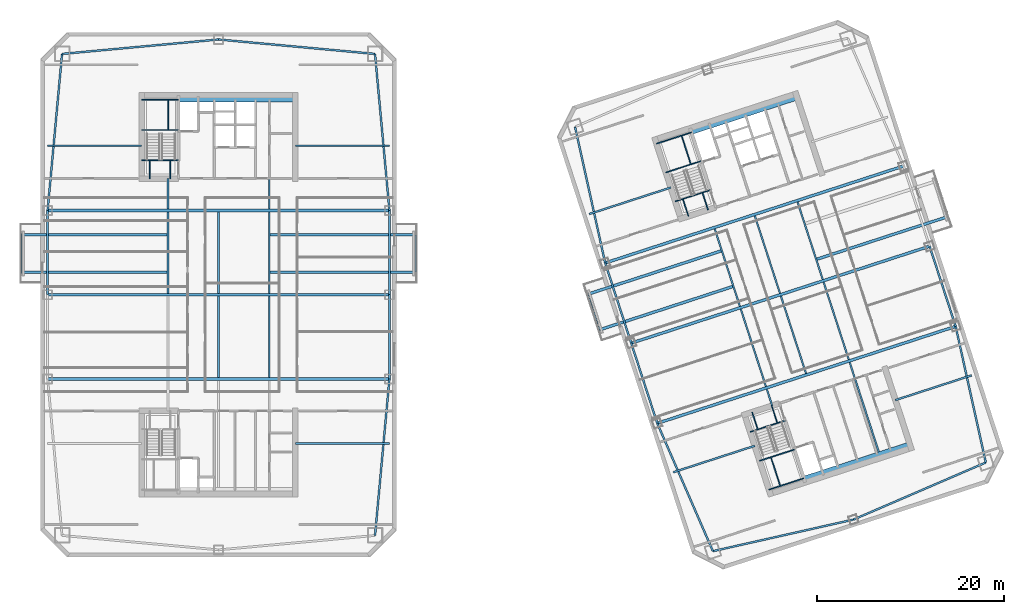
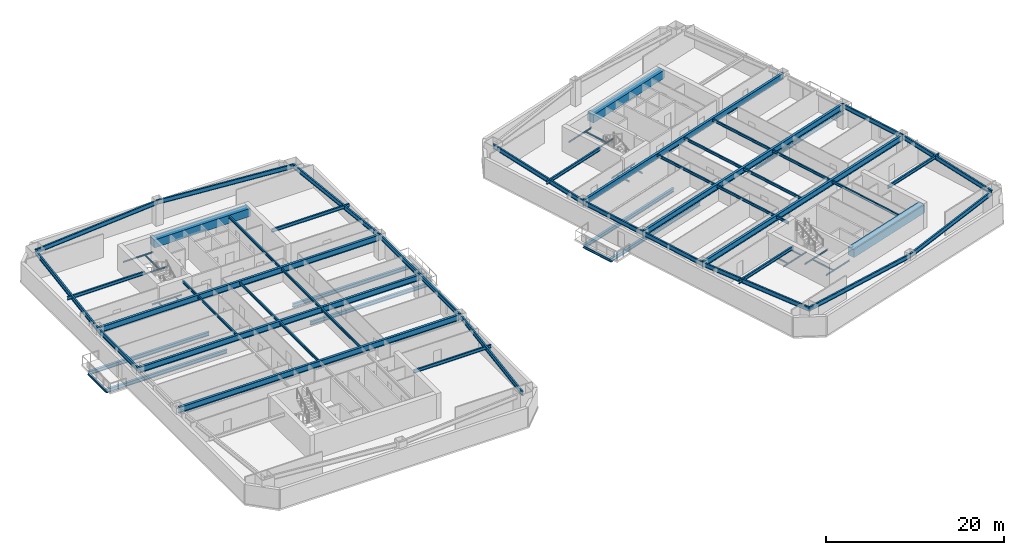
# One storey, part 2 of 15: 74 beams.
"""IFC4 building model written with IfcOpenShell, lengths in metres."""

from ifc_helpers import new_model, si_unit, direction, frame, origin, origin_2d, place, context, subcontext, project, spatial, rectangle, i_section, extrude, material, material_profile, profile_set, type_object, element, save


model = new_model("IFC4")

# Units and contexts
model_context = context("Model", 3, precision=1e-05, world=origin(), true_north=direction((0.0, 1.0)))
body_context = subcontext(model_context, "Body", "Model", "MODEL_VIEW")
ifc_project = project(units=[si_unit("LENGTHUNIT", "METRE"), si_unit("AREAUNIT", "SQUARE_METRE"), si_unit("VOLUMEUNIT", "CUBIC_METRE"), si_unit("PLANEANGLEUNIT", "RADIAN"), si_unit("MASSUNIT", "GRAM", prefix="KILO")], contexts=[model_context])

# Site, building, storey
site_placement = place(None, origin())
site = spatial("IfcSite", under=ifc_project, at=site_placement, CompositionType="ELEMENT")
building_placement = place(site_placement, origin())
building = spatial("IfcBuilding", under=site, at=building_placement, Name="Qiaolan Cultural Towers", CompositionType="ELEMENT")
storey_placement = place(building_placement, frame((0.0, 0.0, 113.85009765625)))
storey = spatial("IfcBuildingStorey", under=building, at=storey_placement, Name="L29", CompositionType="ELEMENT", Elevation=113.85009765625)

# Beams
ifc_material_1 = material(Name="Steel Q355B", Category="steel")
ifc_material_profile_1 = material_profile(ifc_material_1, i_section(OverallWidth=0.300048828125, OverallDepth=0.488037109375, WebThickness=0.010986328125, FlangeThickness=0.01806640625, at=origin_2d()), Name="HM488x300x11x18")
ifc_profile_set_1 = profile_set([ifc_material_profile_1], Name="Steel Q355B")
beam_type_1 = type_object("IfcBeamType", Name="BM-HM488x300x11x18", PredefinedType="BEAM", material=ifc_profile_set_1)
for number, where, z_axis, x_axis, name in (
    (1, (24.60009765625, 36.39990234375, -0.524169921875), (-1.0, 0.0, 0.0), (0.0, -1.0, 0.0), "L29 T1 Tree Balcony Back-Spanned Bracket Beam"),
    (2, (24.60009765625, 40.39990234375, -0.524169921875), (-1.0, 0.0, 0.0), (0.0, -1.0, 0.0), "L29 T1 Tree Balcony Back-Spanned Bracket Beam"),
    (3, (35.39990234375, 36.39990234375, -0.524169921875), (1.0, 0.0, 0.0), (0.0, 1.0, 0.0), "L29 T1 Tree Balcony Back-Spanned Bracket Beam"),
    (4, (35.39990234375, 40.39990234375, -0.524169921875), (1.0, 0.0, 0.0), (0.0, 1.0, 0.0), "L29 T1 Tree Balcony Back-Spanned Bracket Beam"),
):
    element("IfcBeam", number, at=place(storey_placement, frame(where, z_axis=z_axis, x_axis=x_axis)), inside=storey, type_object=beam_type_1, Name=name, PredefinedType="BEAM", context=body_context, shape_type="SweptSolid", body=[
        extrude(i_section(OverallWidth=0.300048828125, OverallDepth=0.488037109375, WebThickness=0.010986328125, FlangeThickness=0.01806640625, at=origin_2d()), origin(), (0.0, 0.0, 1.0), 15.650146484375),
    ])
for number, where, z_axis, x_axis, name in (
    (5, (84.978515625, 34.891845703125, -0.524169921875), (-0.95105683587, -0.309016010822, 0.0), (0.309016010822, -0.95105683587, 0.0), "L29 T2 Tree Balcony Back-Spanned Bracket Beam"),
    (6, (83.742431640625, 38.6962890625, -0.524169921875), (-0.95105206822, -0.309030683808, 0.0), (0.309030683808, -0.95105206822, 0.0), "L29 T2 Tree Balcony Back-Spanned Bracket Beam"),
):
    element("IfcBeam", number, at=place(storey_placement, frame(where, z_axis=z_axis, x_axis=x_axis)), inside=storey, type_object=beam_type_1, Name=name, PredefinedType="BEAM", context=body_context, shape_type="SweptSolid", body=[
        extrude(i_section(OverallWidth=0.300048828125, OverallDepth=0.488037109375, WebThickness=0.010986328125, FlangeThickness=0.01806640625, at=origin_2d()), origin(), (0.0, 0.0, 1.0), 15.0498046875),
    ])
beam_1_placement = place(storey_placement, frame((93.823486328125, 37.765869140625, -0.524169921875), z_axis=(0.951059244395, 0.30900859802, 0.0), x_axis=(-0.30900859802, 0.951059244395, 0.0)))
element("IfcBeam", 7, at=beam_1_placement, inside=storey, type_object=beam_type_1, Name="L29 T2 Tree Balcony Back-Spanned Bracket Beam", PredefinedType="BEAM", context=body_context, shape_type="SweptSolid", body=[
    extrude(i_section(OverallWidth=0.300048828125, OverallDepth=0.488037109375, WebThickness=0.010986328125, FlangeThickness=0.01806640625, at=origin_2d()), origin(), (0.0, 0.0, 1.0), 14.75),
])
ifc_material_2 = material(Name="Steel Q355B", Category="steel")
ifc_material_profile_2 = material_profile(ifc_material_2, i_section(OverallWidth=0.300048828125, OverallDepth=0.800048828125, WebThickness=0.013916015625, FlangeThickness=0.02587890625, at=origin_2d()), Name="HN800x300x14x26")
ifc_profile_set_2 = profile_set([ifc_material_profile_2], Name="Steel Q355B")
beam_type_2 = type_object("IfcBeamType", Name="BM-HN800x300x14x26", PredefinedType="BEAM", material=ifc_profile_set_2)
for number, where, z_axis, x_axis, name in (
    (8, (11.75, 25.0, 2.789794921875), (1.0, 0.0, 0.0), (0.0, 1.0, 0.0), "L29 T1 Primary Transverse Girder V1"),
    (9, (11.75, 34.0, 2.789794921875), (1.0, 0.0, 0.0), (0.0, 1.0, 0.0), "L29 T1 Primary Transverse Girder V2"),
    (10, (11.75, 43.0, 2.789794921875), (1.0, 0.0, 0.0), (0.0, 1.0, 0.0), "L29 T1 Primary Transverse Girder V3"),
):
    element("IfcBeam", number, at=place(storey_placement, frame(where, z_axis=z_axis, x_axis=x_axis)), inside=storey, type_object=beam_type_2, Name=name, PredefinedType="BEAM", context=body_context, shape_type="SweptSolid", body=[
        extrude(i_section(OverallWidth=0.300048828125, OverallDepth=0.800048828125, WebThickness=0.013916015625, FlangeThickness=0.02587890625, at=origin_2d()), origin(), (0.0, 0.0, 1.0), 36.5),
    ])
for number, where, z_axis, x_axis, name in (
    (11, (76.85107421875, 20.264404296875, 2.789794921875), (0.951056559899, 0.309016860175, 0.0), (-0.309016860175, 0.951056559899, 0.0), "L29 T2 Primary Transverse Girder V1"),
    (12, (74.06982421875, 28.823974609375, 2.789794921875), (0.951056559899, 0.309016860175, 0.0), (-0.309016860175, 0.951056559899, 0.0), "L29 T2 Primary Transverse Girder V2"),
    (13, (71.28857421875, 37.383544921875, 2.789794921875), (0.951056559899, 0.309016860175, 0.0), (-0.309016860175, 0.951056559899, 0.0), "L29 T2 Primary Transverse Girder V3"),
):
    element("IfcBeam", number, at=place(storey_placement, frame(where, z_axis=z_axis, x_axis=x_axis)), inside=storey, type_object=beam_type_2, Name=name, PredefinedType="BEAM", context=body_context, shape_type="SweptSolid", body=[
        extrude(i_section(OverallWidth=0.300048828125, OverallDepth=0.800048828125, WebThickness=0.013916015625, FlangeThickness=0.02587890625, at=origin_2d()), origin(), (0.0, 0.0, 1.0), 33.5),
    ])
ifc_material_3 = material(Name="Steel Q355B", Category="steel")
ifc_material_profile_3 = material_profile(ifc_material_3, i_section(OverallWidth=0.175048828125, OverallDepth=0.35009765625, WebThickness=0.007080078125, FlangeThickness=0.010986328125, at=origin_2d()), Name="HN350x175x7x11")
ifc_profile_set_3 = profile_set([ifc_material_profile_3], Name="Steel Q355B")
beam_type_3 = type_object("IfcBeamType", Name="BM-JST-HN350x175x7x11", PredefinedType="JOIST", material=ifc_profile_set_3)
for number, where, z_axis, x_axis, name in (
    (14, (8.949951171875, 36.39990234375, -0.524169921875), (0.0, 1.0, 0.0), (-1.0, 0.0, 0.0), "L29 T1 Tree Balcony Outer Edge Beam"),
    (15, (51.050048828125, 36.39990234375, -0.524169921875), (0.0, 1.0, 0.0), (-1.0, 0.0, 0.0), "L29 T1 Tree Balcony Outer Edge Beam"),
    (16, (70.665283203125, 30.2412109375, -0.524169921875), (-0.309022586479, 0.951054699292, 0.0), (-0.951054699292, -0.309022586479, 0.0), "L29 T2 Tree Balcony Outer Edge Beam"),
):
    element("IfcBeam", number, at=place(storey_placement, frame(where, z_axis=z_axis, x_axis=x_axis)), inside=storey, type_object=beam_type_3, Name=name, PredefinedType="JOIST", context=body_context, shape_type="SweptSolid", body=[
        extrude(i_section(OverallWidth=0.175048828125, OverallDepth=0.35009765625, WebThickness=0.007080078125, FlangeThickness=0.010986328125, at=origin_2d()), origin(), (0.0, 0.0, 1.0), 4.0),
    ])
beam_2_placement = place(storey_placement, frame((24.60009765625, 34.14990234375, 3.014892578125), z_axis=(0.0, 1.0, 0.0), x_axis=(-1.0, 0.0, 0.0)))
element("IfcBeam", 17, at=beam_2_placement, inside=storey, type_object=beam_type_3, Name="L29 T1 Secondary Floor Joist U1-3", PredefinedType="JOIST", context=body_context, shape_type="SweptSolid", body=[
    extrude(i_section(OverallWidth=0.175048828125, OverallDepth=0.35009765625, WebThickness=0.007080078125, FlangeThickness=0.010986328125, at=origin_2d()), origin(), (0.0, 0.0, 1.0), 8.7001953125),
])
beam_3_placement = place(storey_placement, frame((24.60009765625, 43.14990234375, 3.014892578125), z_axis=(0.0, 1.0, 0.0), x_axis=(-1.0, 0.0, 0.0)))
element("IfcBeam", 18, at=beam_3_placement, inside=storey, type_object=beam_type_3, Name="L29 T1 Secondary Floor Joist U1-4", PredefinedType="JOIST", context=body_context, shape_type="SweptSolid", body=[
    extrude(i_section(OverallWidth=0.175048828125, OverallDepth=0.35009765625, WebThickness=0.007080078125, FlangeThickness=0.010986328125, at=origin_2d()), origin(), (0.0, 0.0, 1.0), 3.25),
])
for number, where, z_axis, x_axis, name in (
    (19, (30.0, 25.14990234375, 3.014892578125), (0.0, 1.0, 0.0), (-1.0, 0.0, 0.0), "L29 T1 Secondary Floor Joist U2-2"),
    (20, (30.0, 34.14990234375, 3.014892578125), (0.0, 1.0, 0.0), (-1.0, 0.0, 0.0), "L29 T1 Secondary Floor Joist U2-3"),
    (21, (35.39990234375, 25.14990234375, 3.014892578125), (0.0, 1.0, 0.0), (-1.0, 0.0, 0.0), "L29 T1 Secondary Floor Joist U3-2"),
    (22, (35.39990234375, 34.14990234375, 3.014892578125), (0.0, 1.0, 0.0), (-1.0, 0.0, 0.0), "L29 T1 Secondary Floor Joist U3-3"),
):
    element("IfcBeam", number, at=place(storey_placement, frame(where, z_axis=z_axis, x_axis=x_axis)), inside=storey, type_object=beam_type_3, Name=name, PredefinedType="JOIST", context=body_context, shape_type="SweptSolid", body=[
        extrude(i_section(OverallWidth=0.175048828125, OverallDepth=0.35009765625, WebThickness=0.007080078125, FlangeThickness=0.010986328125, at=origin_2d()), origin(), (0.0, 0.0, 1.0), 8.7001953125),
    ])
beam_4_placement = place(storey_placement, frame((35.39990234375, 43.14990234375, 3.014892578125), z_axis=(0.0, 1.0, 0.0), x_axis=(-1.0, 0.0, 0.0)))
element("IfcBeam", 23, at=beam_4_placement, inside=storey, type_object=beam_type_3, Name="L29 T1 Secondary Floor Joist U3-4", PredefinedType="JOIST", context=body_context, shape_type="SweptSolid", body=[
    extrude(i_section(OverallWidth=0.175048828125, OverallDepth=0.35009765625, WebThickness=0.007080078125, FlangeThickness=0.010986328125, at=origin_2d()), origin(), (0.0, 0.0, 1.0), 11.4501953125),
])
beam_5_placement = place(storey_placement, frame((89.119384765625, 22.147705078125, 3.014892578125), z_axis=(-0.308933885266, 0.951083516067, 0.0), x_axis=(-0.951083516067, -0.308933885266, 0.0)))
element("IfcBeam", 24, at=beam_5_placement, inside=storey, type_object=beam_type_3, Name="L29 T2 Secondary Floor Joist U1-1", PredefinedType="JOIST", context=body_context, shape_type="SweptSolid", body=[
    extrude(i_section(OverallWidth=0.175048828125, OverallDepth=0.35009765625, WebThickness=0.007080078125, FlangeThickness=0.010986328125, at=origin_2d()), origin(), (0.0, 0.0, 1.0), 1.85009765625),
])
for number, where, z_axis, x_axis, name in (
    (25, (88.455078125, 24.192626953125, 3.014892578125), (-0.309020714809, 0.951055307445, 0.0), (-0.951055307445, -0.309020714809, 0.0), "L29 T2 Secondary Floor Joist U1-2"),
    (26, (85.673828125, 32.752197265625, 3.014892578125), (-0.309020714809, 0.951055307445, 0.0), (-0.951055307445, -0.309020714809, 0.0), "L29 T2 Secondary Floor Joist U1-3"),
    (27, (92.73486328125, 25.583251953125, 3.014892578125), (-0.309020714809, 0.951055307445, 0.0), (-0.951055307445, -0.309020714809, 0.0), "L29 T2 Secondary Floor Joist U2-2"),
    (28, (89.95361328125, 34.142578125, 3.014892578125), (-0.309020714809, 0.951055307445, 0.0), (-0.951055307445, -0.309020714809, 0.0), "L29 T2 Secondary Floor Joist U2-3"),
):
    element("IfcBeam", number, at=place(storey_placement, frame(where, z_axis=z_axis, x_axis=x_axis)), inside=storey, type_object=beam_type_3, Name=name, PredefinedType="JOIST", context=body_context, shape_type="SweptSolid", body=[
        extrude(i_section(OverallWidth=0.175048828125, OverallDepth=0.35009765625, WebThickness=0.007080078125, FlangeThickness=0.010986328125, at=origin_2d()), origin(), (0.0, 0.0, 1.0), 8.699951171875),
    ])
beam_6_placement = place(storey_placement, frame((100.498291015625, 17.222900390625, 3.014892578125), z_axis=(-0.309025649293, 0.951053704098, 0.0), x_axis=(-0.951053704098, -0.309025649293, 0.0)))
element("IfcBeam", 29, at=beam_6_placement, inside=storey, type_object=beam_type_3, Name="L29 T2 Secondary Floor Joist U3-1", PredefinedType="JOIST", context=body_context, shape_type="SweptSolid", body=[
    extrude(i_section(OverallWidth=0.175048828125, OverallDepth=0.35009765625, WebThickness=0.007080078125, FlangeThickness=0.010986328125, at=origin_2d()), origin(), (0.0, 0.0, 1.0), 10.050048828125),
])
for number, where, z_axis, x_axis, name in (
    (30, (97.2998046875, 27.06640625, 3.014892578125), (-0.309020714809, 0.951055307445, 0.0), (-0.951055307445, -0.309020714809, 0.0), "L29 T2 Secondary Floor Joist U3-2"),
    (31, (94.518798828125, 35.6259765625, 3.014892578125), (-0.309020714809, 0.951055307445, 0.0), (-0.951055307445, -0.309020714809, 0.0), "L29 T2 Secondary Floor Joist U3-3"),
):
    element("IfcBeam", number, at=place(storey_placement, frame(where, z_axis=z_axis, x_axis=x_axis)), inside=storey, type_object=beam_type_3, Name=name, PredefinedType="JOIST", context=body_context, shape_type="SweptSolid", body=[
        extrude(i_section(OverallWidth=0.175048828125, OverallDepth=0.35009765625, WebThickness=0.007080078125, FlangeThickness=0.010986328125, at=origin_2d()), origin(), (0.0, 0.0, 1.0), 8.699951171875),
    ])
ifc_material_4 = material(Name="Steel Q355B", Category="steel")
ifc_material_profile_4 = material_profile(ifc_material_4, i_section(OverallWidth=0.199951171875, OverallDepth=0.449951171875, WebThickness=0.009033203125, FlangeThickness=0.013916015625, at=origin_2d()), Name="HN450x200x9x14")
ifc_profile_set_4 = profile_set([ifc_material_profile_4], Name="Steel Q355B")
beam_type_4 = type_object("IfcBeamType", Name="BM-LNT-HN450x200x9x14", PredefinedType="LINTEL", material=ifc_profile_set_4)
for number, where, z_axis, x_axis, name in (
    (32, (21.800048828125, 49.89990234375, 2.96484375), (-1.0, 0.0, 0.0), (0.0, -1.0, 0.0), "L29 T1 Core Flank Tie Lintel WN"),
    (33, (38.199951171875, 18.10009765625, 2.96484375), (1.0, 0.0, 0.0), (0.0, 1.0, 0.0), "L29 T1 Core Flank Tie Lintel ES"),
    (34, (38.199951171875, 49.89990234375, 2.96484375), (1.0, 0.0, 0.0), (0.0, 1.0, 0.0), "L29 T1 Core Flank Tie Lintel EN"),
):
    element("IfcBeam", number, at=place(storey_placement, frame(where, z_axis=z_axis, x_axis=x_axis)), inside=storey, type_object=beam_type_4, Name=name, PredefinedType="LINTEL", context=body_context, shape_type="SweptSolid", body=[
        extrude(i_section(OverallWidth=0.199951171875, OverallDepth=0.449951171875, WebThickness=0.009033203125, FlangeThickness=0.013916015625, at=origin_2d()), origin(), (0.0, 0.0, 1.0), 10.050048828125),
    ])
for number, where, z_axis, x_axis, name in (
    (35, (87.252685546875, 17.861083984375, 2.96484375), (-0.951059948176, -0.309006431933, 0.0), (0.309006431933, -0.951059948176, 0.0), "L29 T2 Core Flank Tie Lintel WS"),
    (36, (78.291259765625, 45.44189453125, 2.96484375), (-0.951052106475, -0.309030566076, 0.0), (0.309030566076, -0.951052106475, 0.0), "L29 T2 Core Flank Tie Lintel WN"),
):
    element("IfcBeam", number, at=place(storey_placement, frame(where, z_axis=z_axis, x_axis=x_axis)), inside=storey, type_object=beam_type_4, Name=name, PredefinedType="LINTEL", context=body_context, shape_type="SweptSolid", body=[
        extrude(i_section(OverallWidth=0.199951171875, OverallDepth=0.449951171875, WebThickness=0.009033203125, FlangeThickness=0.013916015625, at=origin_2d()), origin(), (0.0, 0.0, 1.0), 9.14990234375),
    ])
beam_7_placement = place(storey_placement, frame((102.279296875, 22.74365234375, 2.96484375), z_axis=(0.951057358187, 0.309014403287, 0.0), x_axis=(-0.309014403287, 0.951057358187, 0.0)))
element("IfcBeam", 37, at=beam_7_placement, inside=storey, type_object=beam_type_4, Name="L29 T2 Core Flank Tie Lintel ES", PredefinedType="LINTEL", context=body_context, shape_type="SweptSolid", body=[
    extrude(i_section(OverallWidth=0.199951171875, OverallDepth=0.449951171875, WebThickness=0.009033203125, FlangeThickness=0.013916015625, at=origin_2d()), origin(), (0.0, 0.0, 1.0), 8.550048828125),
])
ifc_material_5 = material(Name="Concrete C50", Category="concrete")
ifc_material_profile_5 = material_profile(ifc_material_5, rectangle(XDim=0.89990234375, YDim=1.10009765625, at=origin_2d()), Name="RC900x1100")
ifc_profile_set_5 = profile_set([ifc_material_profile_5], Name="Concrete C50")
beam_type_5 = type_object("IfcBeamType", Name="BM-RC900x1100", PredefinedType="BEAM", material=ifc_profile_set_5)
beam_8_placement = place(storey_placement, frame((25.719970703125, 55.050048828125, 2.639892578125), z_axis=(1.0, 0.0, 0.0), x_axis=(0.0, 1.0, 0.0)))
element("IfcBeam", 38, at=beam_8_placement, inside=storey, type_object=beam_type_5, Name="L29 T1 Core Header Girder N", PredefinedType="BEAM", context=body_context, shape_type="SweptSolid", body=[
    extrude(rectangle(XDim=0.89990234375, YDim=1.10009765625, at=origin_2d()), origin(), (0.0, 0.0, 1.0), 12.47998046875),
])
for number, where, z_axis, x_axis, name in (
    (39, (92.572265625, 14.174560546875, 2.639892578125), (0.951056266386, 0.309017763514, 0.0), (-0.309017763514, 0.951056266386, 0.0), "L29 T2 Core Header Girder S"),
    (40, (80.427978515625, 51.551025390625, 2.639892578125), (0.951056266386, 0.309017763514, 0.0), (-0.309017763514, 0.951056266386, 0.0), "L29 T2 Core Header Girder N"),
):
    element("IfcBeam", number, at=place(storey_placement, frame(where, z_axis=z_axis, x_axis=x_axis)), inside=storey, type_object=beam_type_5, Name=name, PredefinedType="BEAM", context=body_context, shape_type="SweptSolid", body=[
        extrude(rectangle(XDim=0.89990234375, YDim=1.10009765625, at=origin_2d()), origin(), (0.0, 0.0, 1.0), 11.880126953125),
    ])
ifc_material_6 = material(Name="Steel Q355B", Category="steel")
ifc_material_profile_6 = material_profile(ifc_material_6, i_section(OverallWidth=0.199951171875, OverallDepth=0.60009765625, WebThickness=0.010986328125, FlangeThickness=0.01708984375, at=origin_2d()), Name="HN600x200x11x17")
ifc_profile_set_6 = profile_set([ifc_material_profile_6], Name="Steel Q355B")
beam_type_6 = type_object("IfcBeamType", Name="BM-SPD-HN600x200x11x17", PredefinedType="SPANDREL", material=ifc_profile_set_6)
beam_9_placement = place(storey_placement, frame((46.7099609375, 8.2900390625, 2.889892578125), z_axis=(0.09177399582, 0.995779862064, 0.0), x_axis=(-0.995779862064, 0.09177399582, 0.0)))
element("IfcBeam", 41, at=beam_9_placement, inside=storey, type_object=beam_type_6, Name="L29 T1 Perimeter Spandrel Beam 3", PredefinedType="SPANDREL", context=body_context, shape_type="SweptSolid", body=[
    extrude(i_section(OverallWidth=0.199951171875, OverallDepth=0.60009765625, WebThickness=0.010986328125, FlangeThickness=0.01708984375, at=origin_2d()), origin(), (0.0, 0.0, 1.0), 16.78076171875),
])
for number, where, z_axis, x_axis, name in (
    (42, (48.25, 25.0, 2.889892578125), (0.0, 1.0, 0.0), (-1.0, 0.0, 0.0), "L29 T1 Perimeter Spandrel Beam 4"),
    (43, (48.25, 34.0, 2.889892578125), (0.0, 1.0, 0.0), (-1.0, 0.0, 0.0), "L29 T1 Perimeter Spandrel Beam 5"),
):
    element("IfcBeam", number, at=place(storey_placement, frame(where, z_axis=z_axis, x_axis=x_axis)), inside=storey, type_object=beam_type_6, Name=name, PredefinedType="SPANDREL", context=body_context, shape_type="SweptSolid", body=[
        extrude(i_section(OverallWidth=0.199951171875, OverallDepth=0.60009765625, WebThickness=0.010986328125, FlangeThickness=0.01708984375, at=origin_2d()), origin(), (0.0, 0.0, 1.0), 9.0),
    ])
for number, where, z_axis, x_axis, name in (
    (44, (48.25, 43.0, 2.889892578125), (-0.09177399582, 0.995779862064, 0.0), (-0.995779862064, -0.09177399582, 0.0), "L29 T1 Perimeter Spandrel Beam 6"),
    (45, (46.7099609375, 59.7099609375, 2.889892578125), (-0.995779862064, 0.09177399582, 0.0), (-0.09177399582, -0.995779862064, 0.0), "L29 T1 Perimeter Spandrel Beam 7"),
    (46, (30.0, 61.25, 2.889892578125), (-0.995779862064, -0.09177399582, 0.0), (0.09177399582, -0.995779862064, 0.0), "L29 T1 Perimeter Spandrel Beam 8"),
    (47, (13.2900390625, 59.7099609375, 2.889892578125), (-0.09177399582, -0.995779862064, 0.0), (0.995779862064, -0.09177399582, 0.0), "L29 T1 Perimeter Spandrel Beam 9"),
):
    element("IfcBeam", number, at=place(storey_placement, frame(where, z_axis=z_axis, x_axis=x_axis)), inside=storey, type_object=beam_type_6, Name=name, PredefinedType="SPANDREL", context=body_context, shape_type="SweptSolid", body=[
        extrude(i_section(OverallWidth=0.199951171875, OverallDepth=0.60009765625, WebThickness=0.010986328125, FlangeThickness=0.01708984375, at=origin_2d()), origin(), (0.0, 0.0, 1.0), 16.78076171875),
    ])
beam_10_placement = place(storey_placement, frame((11.75, 43.0, 2.889892578125), z_axis=(0.0, -1.0, 0.0), x_axis=(1.0, 0.0, 0.0)))
element("IfcBeam", 48, at=beam_10_placement, inside=storey, type_object=beam_type_6, Name="L29 T1 Perimeter Spandrel Beam 10", PredefinedType="SPANDREL", context=body_context, shape_type="SweptSolid", body=[
    extrude(i_section(OverallWidth=0.199951171875, OverallDepth=0.60009765625, WebThickness=0.010986328125, FlangeThickness=0.01708984375, at=origin_2d()), origin(), (0.0, 0.0, 1.0), 9.0),
])
beam_11_placement = place(storey_placement, frame((82.79052734375, 6.611572265625, 2.889892578125), z_axis=(0.975658154374, 0.219296980836, 0.0), x_axis=(-0.219296980836, 0.975658154374, 0.0)))
element("IfcBeam", 49, at=beam_11_placement, inside=storey, type_object=beam_type_6, Name="L29 T2 Perimeter Spandrel Beam 1", PredefinedType="SPANDREL", context=body_context, shape_type="SweptSolid", body=[
    extrude(i_section(OverallWidth=0.199951171875, OverallDepth=0.60009765625, WebThickness=0.010986328125, FlangeThickness=0.01708984375, at=origin_2d()), origin(), (0.0, 0.0, 1.0), 15.38671875),
])
beam_12_placement = place(storey_placement, frame((97.802734375, 9.98583984375, 2.889892578125), z_axis=(0.918217549337, 0.396076422032, 0.0), x_axis=(-0.396076422032, 0.918217549337, 0.0)))
element("IfcBeam", 50, at=beam_12_placement, inside=storey, type_object=beam_type_6, Name="L29 T2 Perimeter Spandrel Beam 2", PredefinedType="SPANDREL", context=body_context, shape_type="SweptSolid", body=[
    extrude(i_section(OverallWidth=0.199951171875, OverallDepth=0.60009765625, WebThickness=0.010986328125, FlangeThickness=0.01708984375, at=origin_2d()), origin(), (0.0, 0.0, 1.0), 15.386474609375),
])
beam_13_placement = place(storey_placement, frame((111.930908203125, 16.080078125, 2.889892578125), z_axis=(-0.216237644833, 0.976340760676, 0.0), x_axis=(-0.976340760676, -0.216237644833, 0.0)))
element("IfcBeam", 51, at=beam_13_placement, inside=storey, type_object=beam_type_6, Name="L29 T2 Perimeter Spandrel Beam 3", PredefinedType="SPANDREL", context=body_context, shape_type="SweptSolid", body=[
    extrude(i_section(OverallWidth=0.199951171875, OverallDepth=0.60009765625, WebThickness=0.010986328125, FlangeThickness=0.01708984375, at=origin_2d()), origin(), (0.0, 0.0, 1.0), 14.888671875),
])
beam_14_placement = place(storey_placement, frame((108.71142578125, 30.616455078125, 2.889892578125), z_axis=(-0.309024734286, 0.951054001411, 0.0), x_axis=(-0.951054001411, -0.309024734286, 0.0)))
element("IfcBeam", 52, at=beam_14_placement, inside=storey, type_object=beam_type_6, Name="L29 T2 Perimeter Spandrel Beam 4", PredefinedType="SPANDREL", context=body_context, shape_type="SweptSolid", body=[
    extrude(i_section(OverallWidth=0.199951171875, OverallDepth=0.60009765625, WebThickness=0.010986328125, FlangeThickness=0.01708984375, at=origin_2d()), origin(), (0.0, 0.0, 1.0), 9.0),
])
beam_15_placement = place(storey_placement, frame((68.069091796875, 51.919921875, 2.889892578125), z_axis=(0.216237644833, -0.976340760676, 0.0), x_axis=(0.976340760676, 0.216237644833, 0.0)))
element("IfcBeam", 53, at=beam_15_placement, inside=storey, type_object=beam_type_6, Name="L29 T2 Perimeter Spandrel Beam 9", PredefinedType="SPANDREL", context=body_context, shape_type="SweptSolid", body=[
    extrude(i_section(OverallWidth=0.199951171875, OverallDepth=0.60009765625, WebThickness=0.010986328125, FlangeThickness=0.01708984375, at=origin_2d()), origin(), (0.0, 0.0, 1.0), 14.888671875),
])
for number, where, z_axis, x_axis, name in (
    (54, (71.28857421875, 37.383544921875, 2.889892578125), (0.309024734286, -0.951054001411, 0.0), (0.951054001411, 0.309024734286, 0.0), "L29 T2 Perimeter Spandrel Beam 10"),
    (55, (74.06982421875, 28.823974609375, 2.889892578125), (0.309024734286, -0.951054001411, 0.0), (0.951054001411, 0.309024734286, 0.0), "L29 T2 Perimeter Spandrel Beam 11"),
):
    element("IfcBeam", number, at=place(storey_placement, frame(where, z_axis=z_axis, x_axis=x_axis)), inside=storey, type_object=beam_type_6, Name=name, PredefinedType="SPANDREL", context=body_context, shape_type="SweptSolid", body=[
        extrude(i_section(OverallWidth=0.199951171875, OverallDepth=0.60009765625, WebThickness=0.010986328125, FlangeThickness=0.01708984375, at=origin_2d()), origin(), (0.0, 0.0, 1.0), 9.0),
    ])
beam_16_placement = place(storey_placement, frame((76.85107421875, 20.264404296875, 2.889892578125), z_axis=(0.398920370799, -0.916985571185, 0.0), x_axis=(0.916985571185, 0.398920370799, 0.0)))
element("IfcBeam", 56, at=beam_16_placement, inside=storey, type_object=beam_type_6, Name="L29 T2 Perimeter Spandrel Beam 12", PredefinedType="SPANDREL", context=body_context, shape_type="SweptSolid", body=[
    extrude(i_section(OverallWidth=0.199951171875, OverallDepth=0.60009765625, WebThickness=0.010986328125, FlangeThickness=0.01708984375, at=origin_2d()), origin(), (0.0, 0.0, 1.0), 14.888916015625),
])
ifc_material_7 = material(Name="Steel Q355B", Category="steel")
ifc_material_profile_7 = material_profile(ifc_material_7, i_section(OverallWidth=0.10009765625, OverallDepth=0.199951171875, WebThickness=0.005615234375, FlangeThickness=0.008056640625, at=origin_2d()), Name="HN200x100x5.5x8")
ifc_profile_set_7 = profile_set([ifc_material_profile_7], Name="Steel Q355B")
beam_type_7 = type_object("IfcBeamType", Name="BM-STTRIM-200", PredefinedType="BEAM", material=ifc_profile_set_7)
beam_17_placement = place(storey_placement, frame((21.800048828125, 48.340087890625, -0.460205078125), z_axis=(1.0, 0.0, 0.0), x_axis=(0.0, 1.0, 0.0)))
element("IfcBeam", 57, at=beam_17_placement, inside=storey, type_object=beam_type_7, Name="L29 ST-W2 Floor Landing Header Beam", PredefinedType="BEAM", context=body_context, shape_type="SweptSolid", body=[
    extrude(i_section(OverallWidth=0.10009765625, OverallDepth=0.199951171875, WebThickness=0.005615234375, FlangeThickness=0.008056640625, at=origin_2d()), origin(), (0.0, 0.0, 1.0), 3.919921875),
])
for number, where, z_axis, x_axis, name in (
    (58, (22.64990234375, 46.39990234375, -0.460205078125), (0.0, 1.0, 0.0), (-1.0, 0.0, 0.0), "L29 ST-W2 Floor Landing Stringer 1"),
    (59, (24.85009765625, 46.39990234375, -0.460205078125), (0.0, 1.0, 0.0), (-1.0, 0.0, 0.0), "L29 ST-W2 Floor Landing Stringer 2"),
):
    element("IfcBeam", number, at=place(storey_placement, frame(where, z_axis=z_axis, x_axis=x_axis)), inside=storey, type_object=beam_type_7, Name=name, PredefinedType="BEAM", context=body_context, shape_type="SweptSolid", body=[
        extrude(i_section(OverallWidth=0.10009765625, OverallDepth=0.199951171875, WebThickness=0.005615234375, FlangeThickness=0.008056640625, at=origin_2d()), origin(), (0.0, 0.0, 1.0), 1.940185546875),
    ])
for number, where, z_axis, x_axis, name in (
    (60, (21.800048828125, 51.588623046875, 1.4248046875), (1.0, 0.0, 0.0), (0.0, 1.0, 0.0), "L29 ST-W2 Stair Landing Support Beam 1-1"),
    (61, (21.800048828125, 54.820068359375, 1.4248046875), (1.0, 0.0, 0.0), (0.0, 1.0, 0.0), "L29 ST-W2 Stair Landing Support Beam 1-2"),
):
    element("IfcBeam", number, at=place(storey_placement, frame(where, z_axis=z_axis, x_axis=x_axis)), inside=storey, type_object=beam_type_7, Name=name, PredefinedType="BEAM", context=body_context, shape_type="SweptSolid", body=[
        extrude(i_section(OverallWidth=0.10009765625, OverallDepth=0.199951171875, WebThickness=0.005615234375, FlangeThickness=0.008056640625, at=origin_2d()), origin(), (0.0, 0.0, 1.0), 3.919921875),
    ])
beam_18_placement = place(storey_placement, frame((24.610107421875, 51.588623046875, 1.4248046875), z_axis=(0.0, 1.0, 0.0), x_axis=(-1.0, 0.0, 0.0)))
element("IfcBeam", 62, at=beam_18_placement, inside=storey, type_object=beam_type_7, Name="L29 ST-W2 Stair Landing Trimmer 1", PredefinedType="BEAM", context=body_context, shape_type="SweptSolid", body=[
    extrude(i_section(OverallWidth=0.10009765625, OverallDepth=0.199951171875, WebThickness=0.005615234375, FlangeThickness=0.008056640625, at=origin_2d()), origin(), (0.0, 0.0, 1.0), 3.2314453125),
])
beam_19_placement = place(storey_placement, frame((86.770751953125, 19.3447265625, -0.460205078125), z_axis=(0.951047798727, 0.309043823005, 0.0), x_axis=(-0.309043823005, 0.951047798727, 0.0)))
element("IfcBeam", 63, at=beam_19_placement, inside=storey, type_object=beam_type_7, Name="L29 ST-E1 Floor Landing Header Beam", PredefinedType="BEAM", context=body_context, shape_type="SweptSolid", body=[
    extrude(i_section(OverallWidth=0.10009765625, OverallDepth=0.199951171875, WebThickness=0.005615234375, FlangeThickness=0.008056640625, at=origin_2d()), origin(), (0.0, 0.0, 1.0), 3.919921875),
])
for number, where, z_axis, x_axis, name in (
    (64, (86.9794921875, 21.452392578125, -0.460205078125), (0.309083226701, -0.951034993558, 0.0), (0.951034993558, 0.309083226701, 0.0), "L29 ST-E1 Floor Landing Stringer 1"),
    (65, (89.07177734375, 22.13232421875, -0.460205078125), (0.309083226701, -0.951034993558, 0.0), (0.951034993558, 0.309083226701, 0.0), "L29 ST-E1 Floor Landing Stringer 2"),
):
    element("IfcBeam", number, at=place(storey_placement, frame(where, z_axis=z_axis, x_axis=x_axis)), inside=storey, type_object=beam_type_7, Name=name, PredefinedType="BEAM", context=body_context, shape_type="SweptSolid", body=[
        extrude(i_section(OverallWidth=0.10009765625, OverallDepth=0.199951171875, WebThickness=0.005615234375, FlangeThickness=0.008056640625, at=origin_2d()), origin(), (0.0, 0.0, 1.0), 1.93994140625),
    ])
for number, where, z_axis, x_axis, name in (
    (66, (87.774658203125, 16.255126953125, 1.4248046875), (0.951047798727, 0.309043823005, 0.0), (-0.309043823005, 0.951047798727, 0.0), "L29 ST-E1 Stair Landing Support Beam 1-1"),
    (67, (88.773193359375, 13.181884765625, 1.4248046875), (0.951047798727, 0.309043823005, 0.0), (-0.309043823005, 0.951047798727, 0.0), "L29 ST-E1 Stair Landing Support Beam 1-2"),
):
    element("IfcBeam", number, at=place(storey_placement, frame(where, z_axis=z_axis, x_axis=x_axis)), inside=storey, type_object=beam_type_7, Name=name, PredefinedType="BEAM", context=body_context, shape_type="SweptSolid", body=[
        extrude(i_section(OverallWidth=0.10009765625, OverallDepth=0.199951171875, WebThickness=0.005615234375, FlangeThickness=0.008056640625, at=origin_2d()), origin(), (0.0, 0.0, 1.0), 3.919921875),
    ])
beam_20_placement = place(storey_placement, frame((88.982421875, 16.6474609375, 1.4248046875), z_axis=(0.309033108495, -0.951051280349, 0.0), x_axis=(0.951051280349, 0.309033108495, 0.0)))
element("IfcBeam", 68, at=beam_20_placement, inside=storey, type_object=beam_type_7, Name="L29 ST-E1 Stair Landing Trimmer 1", PredefinedType="BEAM", context=body_context, shape_type="SweptSolid", body=[
    extrude(i_section(OverallWidth=0.10009765625, OverallDepth=0.199951171875, WebThickness=0.005615234375, FlangeThickness=0.008056640625, at=origin_2d()), origin(), (0.0, 0.0, 1.0), 3.231201171875),
])
beam_21_placement = place(storey_placement, frame((78.773193359375, 43.958251953125, -0.460205078125), z_axis=(0.951072048947, 0.3089691857, 0.0), x_axis=(-0.3089691857, 0.951072048947, 0.0)))
element("IfcBeam", 69, at=beam_21_placement, inside=storey, type_object=beam_type_7, Name="L29 ST-E2 Floor Landing Header Beam", PredefinedType="BEAM", context=body_context, shape_type="SweptSolid", body=[
    extrude(i_section(OverallWidth=0.10009765625, OverallDepth=0.199951171875, WebThickness=0.005615234375, FlangeThickness=0.008056640625, at=origin_2d()), origin(), (0.0, 0.0, 1.0), 3.920166015625),
])
for number, where, z_axis, x_axis, name in (
    (70, (80.18115234375, 42.375732421875, -0.460205078125), (-0.308969394428, 0.951071981138, 0.0), (-0.951071981138, -0.308969394428, 0.0), "L29 ST-E2 Floor Landing Stringer 1"),
    (71, (82.2734375, 43.0556640625, -0.460205078125), (-0.308969394428, 0.951071981138, 0.0), (-0.951071981138, -0.308969394428, 0.0), "L29 ST-E2 Floor Landing Stringer 2"),
):
    element("IfcBeam", number, at=place(storey_placement, frame(where, z_axis=z_axis, x_axis=x_axis)), inside=storey, type_object=beam_type_7, Name=name, PredefinedType="BEAM", context=body_context, shape_type="SweptSolid", body=[
        extrude(i_section(OverallWidth=0.10009765625, OverallDepth=0.199951171875, WebThickness=0.005615234375, FlangeThickness=0.008056640625, at=origin_2d()), origin(), (0.0, 0.0, 1.0), 1.93994140625),
    ])
for number, where, z_axis, x_axis, name in (
    (72, (77.769287109375, 47.0478515625, 1.4248046875), (0.951053746643, 0.309025518358, 0.0), (-0.309025518358, 0.951053746643, 0.0), "L29 ST-E2 Stair Landing Support Beam 1-1"),
    (73, (76.770751953125, 50.12109375, 1.4248046875), (0.951072048947, 0.3089691857, 0.0), (-0.3089691857, 0.951072048947, 0.0), "L29 ST-E2 Stair Landing Support Beam 1-2"),
):
    element("IfcBeam", number, at=place(storey_placement, frame(where, z_axis=z_axis, x_axis=x_axis)), inside=storey, type_object=beam_type_7, Name=name, PredefinedType="BEAM", context=body_context, shape_type="SweptSolid", body=[
        extrude(i_section(OverallWidth=0.10009765625, OverallDepth=0.199951171875, WebThickness=0.005615234375, FlangeThickness=0.008056640625, at=origin_2d()), origin(), (0.0, 0.0, 1.0), 3.920166015625),
    ])
beam_22_placement = place(storey_placement, frame((80.44189453125, 47.916259765625, 1.4248046875), z_axis=(-0.309033108495, 0.951051280349, 0.0), x_axis=(-0.951051280349, -0.309033108495, 0.0)))
element("IfcBeam", 74, at=beam_22_placement, inside=storey, type_object=beam_type_7, Name="L29 ST-E2 Stair Landing Trimmer 1", PredefinedType="BEAM", context=body_context, shape_type="SweptSolid", body=[
    extrude(i_section(OverallWidth=0.10009765625, OverallDepth=0.199951171875, WebThickness=0.005615234375, FlangeThickness=0.008056640625, at=origin_2d()), origin(), (0.0, 0.0, 1.0), 3.231201171875),
])

save(model, "model.ifc")
